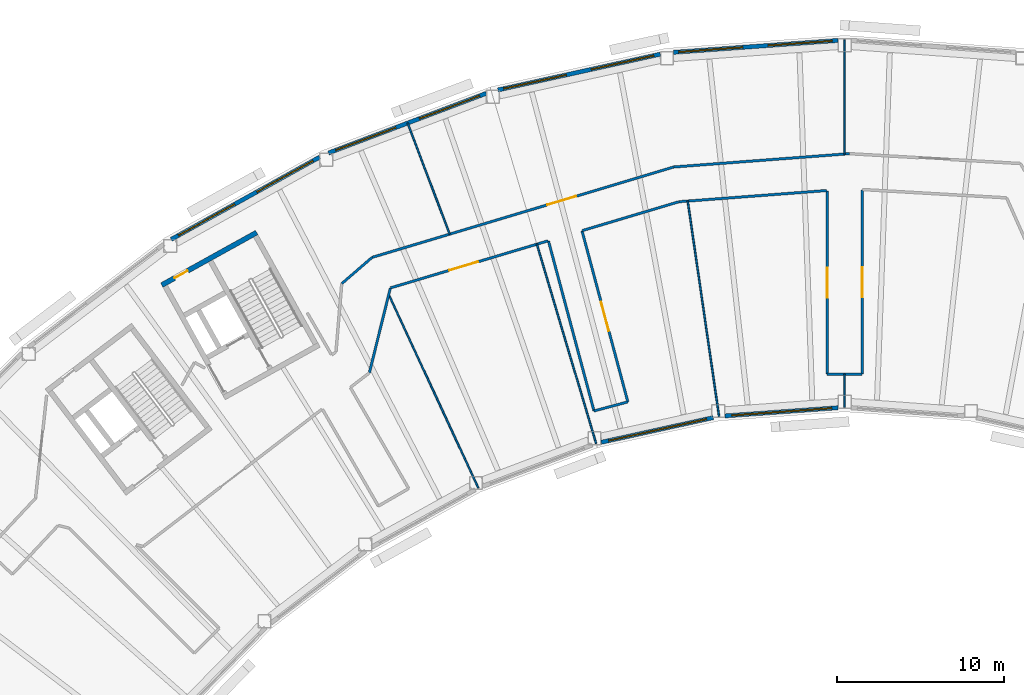
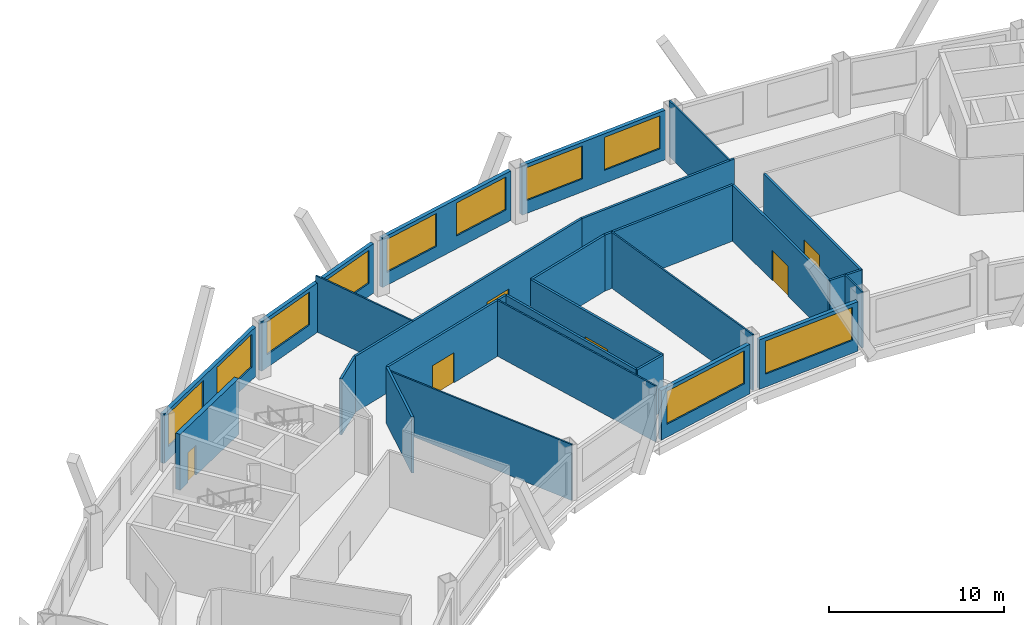
# One storey, part 6 of 13: 26 walls, 10 windows, 6 doors, 16 openings.
"""IFC4 building model written with IfcOpenShell, lengths in metres."""

from ifc_helpers import new_model, si_unit, direction, frame, frame_2d, origin, place, context, subcontext, project, spatial, rectangle, extrude, material, layer, layer_set, type_object, element, fill, save


model = new_model("IFC4")

# Units and contexts
model_context = context("Model", 3, precision=1e-05, world=origin(), true_north=direction((0.0, 1.0)))
body_context = subcontext(model_context, "Body", "Model", "MODEL_VIEW")
ifc_project = project(units=[si_unit("LENGTHUNIT", "METRE"), si_unit("AREAUNIT", "SQUARE_METRE"), si_unit("VOLUMEUNIT", "CUBIC_METRE"), si_unit("PLANEANGLEUNIT", "RADIAN"), si_unit("MASSUNIT", "GRAM", prefix="KILO")], contexts=[model_context])

# Site, building, storey
site_placement = place(None, origin())
site = spatial("IfcSite", under=ifc_project, at=site_placement, CompositionType="ELEMENT")
building_placement = place(site_placement, origin())
building = spatial("IfcBuilding", under=site, at=building_placement, Name="Tuul Gate Civic Tower", CompositionType="ELEMENT")
storey_placement = place(building_placement, frame((0.0, 0.0, 302.60009765625)))
storey = spatial("IfcBuildingStorey", under=building, at=storey_placement, Name="Level 68", CompositionType="ELEMENT", Elevation=302.60009765625)

# Wall, opening, door
ifc_material_1 = material(Name="Concrete C50/60", Category="concrete")
ifc_layer_1 = layer(ifc_material_1, 0.300048828125)
ifc_layer_set_1 = layer_set([ifc_layer_1], Name="Concrete C50/60")
wall_type_1 = type_object("IfcWallType", Name="Core wall C50/60", PredefinedType="SHEAR", material=ifc_layer_set_1)
wall_1_placement = place(storey_placement, frame((-28.4443359375, -1.98095703125, 0.0), z_axis=(0.0, 0.0, 1.0), x_axis=(-0.874629909008, -0.484791215132, 0.0)))
wall_1 = element("IfcWall", 1, at=wall_1_placement, inside=storey, type_object=wall_type_1, Name="Core wall", PredefinedType="SHEAR", context=body_context, shape_type="SweptSolid", body=[
    extrude(rectangle(XDim=6.5, YDim=0.300048828125, at=frame_2d((3.25, 0.0))), origin(), (0.0, 0.0, 1.0), 3.89990234375),
])
opening_1_placement = place(wall_1_placement, frame((4.72509765625, 0.0, 0.0)))
opening_1 = element("IfcOpeningElement", 2, at=opening_1_placement, cuts=wall_1, Name="Opening Y-D17", PredefinedType="OPENING", context=body_context, shape_type="SweptSolid", body=[
    extrude(rectangle(XDim=0.89990234375, YDim=2.10009765625, at=frame_2d((0.449951171875, 1.050048828125))), frame((0.0, 0.16015625, 0.0), z_axis=(0.0, -1.0, 0.0), x_axis=(1.0, 0.0, 0.0)), (0.0, 0.0, 1.0), 0.320068359375),
])
ifc_material_2 = material(Name="Timber door leaf", Category="wood")
door_type_1 = type_object("IfcDoorType", Name="Door D09", OperationType="NOTDEFINED", PredefinedType="DOOR", material=ifc_material_2)
door_1_placement = place(opening_1_placement, origin())
door_1 = element("IfcDoor", 3, at=door_1_placement, inside=storey, type_object=door_type_1, Name="Door Y-D17", OperationType="SINGLE_SWING_LEFT", OverallHeight=2.10009765625, OverallWidth=0.89990234375, PredefinedType="DOOR", context=body_context, shape_type="SweptSolid", body=[
    extrude(rectangle(XDim=0.89990234375, YDim=2.10009765625, at=frame_2d((0.449951171875, 1.050048828125))), frame((0.0, 0.02490234375, 0.0), z_axis=(0.0, -1.0, 0.0), x_axis=(1.0, 0.0, 0.0)), (0.0, 0.0, 1.0), 0.050048828125),
])
fill(opening_1, door_1)

# Wall
ifc_material_3 = material(Name="Gypsum board partition")
ifc_layer_2 = layer(ifc_material_3, 0.14990234375)
ifc_layer_set_2 = layer_set([ifc_layer_2], Name="Gypsum board partition")
wall_type_2 = type_object("IfcWallType", Name="Corridor wall P150", PredefinedType="PARTITIONING", material=ifc_layer_set_2)
wall_2_placement = place(storey_placement, frame((-3.451171875, 1.94580078125, 0.0), z_axis=(0.0, 0.0, 1.0), x_axis=(0.997139491246, 0.075583298406, 0.0)))
element("IfcWall", 4, at=wall_2_placement, inside=storey, type_object=wall_type_2, Name="p021", PredefinedType="PARTITIONING", context=body_context, shape_type="SweptSolid", body=[
    extrude(rectangle(XDim=10.549560546875, YDim=0.14990234375, at=frame_2d((5.27490234375, 0.0))), origin(), (0.0, 0.0, 1.0), 3.89990234375),
])

# Wall, opening, door
wall_3_placement = place(storey_placement, frame((-21.523681640625, -3.4697265625, 0.0), z_axis=(0.0, 0.0, 1.0), x_axis=(0.957914218536, 0.287054611402, 0.0)))
wall_3 = element("IfcWall", 5, at=wall_3_placement, inside=storey, type_object=wall_type_2, Name="p034", PredefinedType="PARTITIONING", context=body_context, shape_type="SweptSolid", body=[
    extrude(rectangle(XDim=18.864990234375, YDim=0.14990234375, at=frame_2d((9.4326171875, 0.0))), origin(), (0.0, 0.0, 1.0), 3.89990234375),
])
opening_2_placement = place(wall_3_placement, frame((10.95654296875, 0.0, 0.0)))
opening_2 = element("IfcOpeningElement", 6, at=opening_2_placement, cuts=wall_3, Name="Opening Y-D05", PredefinedType="OPENING", context=body_context, shape_type="SweptSolid", body=[
    extrude(rectangle(XDim=1.800048828125, YDim=2.10009765625, at=frame_2d((0.89990234375, 1.050048828125))), frame((0.0, 0.0849609375, 0.0), z_axis=(0.0, -1.0, 0.0), x_axis=(1.0, 0.0, 0.0)), (0.0, 0.0, 1.0), 0.169921875),
])
ifc_material_4 = material(Name="Timber door leaf, double", Category="wood")
door_type_2 = type_object("IfcDoorType", Name="Door D18", OperationType="DOUBLE_DOOR_SINGLE_SWING", PredefinedType="DOOR", material=ifc_material_4)
door_2_placement = place(opening_2_placement, origin())
door_2 = element("IfcDoor", 7, at=door_2_placement, inside=storey, type_object=door_type_2, Name="Door Y-D05", OperationType="DOUBLE_DOOR_SINGLE_SWING", OverallHeight=2.10009765625, OverallWidth=1.800048828125, PredefinedType="DOOR", context=body_context, shape_type="SweptSolid", body=[
    extrude(rectangle(XDim=1.800048828125, YDim=2.10009765625, at=frame_2d((0.89990234375, 1.050048828125))), frame((0.0, 0.02490234375, 0.0), z_axis=(0.0, -1.0, 0.0), x_axis=(1.0, 0.0, 0.0)), (0.0, 0.0, 1.0), 0.050048828125),
])
fill(opening_2, door_2)

# Wall
wall_4_placement = place(storey_placement, frame((-23.345947265625, -5.044189453125, 0.0), z_axis=(0.0, 0.0, 1.0), x_axis=(0.756572042285, 0.653910349232, 0.0)))
element("IfcWall", 8, at=wall_4_placement, inside=storey, type_object=wall_type_2, Name="p037", PredefinedType="PARTITIONING", context=body_context, shape_type="SweptSolid", body=[
    extrude(rectangle(XDim=2.40673828125, YDim=0.14990234375, at=frame_2d((1.203369140625, 0.0))), origin(), (0.0, 0.0, 1.0), 3.89990234375),
])

# Wall, opening, door
wall_5_placement = place(storey_placement, frame((7.838134765625, -10.469970703125, 0.0), z_axis=(0.0, 0.0, 1.0), x_axis=(0.0, 1.0, 0.0)))
wall_5 = element("IfcWall", 9, at=wall_5_placement, inside=storey, type_object=wall_type_2, Name="p061", PredefinedType="PARTITIONING", context=body_context, shape_type="SweptSolid", body=[
    extrude(rectangle(XDim=11.043701171875, YDim=0.14990234375, at=frame_2d((5.52197265625, 0.0))), origin(), (0.0, 0.0, 1.0), 3.89990234375),
])
opening_3_placement = place(wall_5_placement, frame((4.621826171875, 0.0, 0.0)))
opening_3 = element("IfcOpeningElement", 10, at=opening_3_placement, cuts=wall_5, Name="Opening Y-D09", PredefinedType="OPENING", context=body_context, shape_type="SweptSolid", body=[
    extrude(rectangle(XDim=1.800048828125, YDim=2.10009765625, at=frame_2d((0.89990234375, 1.050048828125))), frame((0.0, 0.0849609375, 0.0), z_axis=(0.0, -1.0, 0.0), x_axis=(1.0, 0.0, 0.0)), (0.0, 0.0, 1.0), 0.169921875),
])
door_3_placement = place(opening_3_placement, frame((1.800048828125, 0.0, 0.0), z_axis=(0.0, 0.0, 1.0), x_axis=(-1.0, 0.0, 0.0)))
door_3 = element("IfcDoor", 11, at=door_3_placement, inside=storey, type_object=door_type_2, Name="Door Y-D09", OperationType="DOUBLE_DOOR_SINGLE_SWING", OverallHeight=2.10009765625, OverallWidth=1.800048828125, PredefinedType="DOOR", context=body_context, shape_type="SweptSolid", body=[
    extrude(rectangle(XDim=1.800048828125, YDim=2.10009765625, at=frame_2d((0.900146484375, 1.050048828125))), frame((0.0, 0.02490234375, 0.0), z_axis=(0.0, -1.0, 0.0), x_axis=(1.0, 0.0, 0.0)), (0.0, 0.0, 1.0), 0.050048828125),
])
fill(opening_3, door_3)

# Walls
wall_6_placement = place(storey_placement, frame((5.739013671875, -10.469970703125, 0.0), z_axis=(0.0, 0.0, 1.0), x_axis=(1.0, 0.0, 0.0)))
element("IfcWall", 12, at=wall_6_placement, inside=storey, type_object=wall_type_2, Name="p066", PredefinedType="PARTITIONING", context=body_context, shape_type="SweptSolid", body=[
    extrude(rectangle(XDim=2.09912109375, YDim=0.14990234375, at=frame_2d((1.049560546875, 0.0))), origin(), (0.0, 0.0, 1.0), 3.89990234375),
])
wall_7_placement = place(storey_placement, frame((-3.13916015625, -0.136474609375, 0.0), z_axis=(0.0, 0.0, 1.0), x_axis=(0.997140365819, 0.075571759639, 0.0)))
element("IfcWall", 13, at=wall_7_placement, inside=storey, type_object=wall_type_2, Name="p068", PredefinedType="PARTITIONING", context=body_context, shape_type="SweptSolid", body=[
    extrude(rectangle(XDim=8.880859375, YDim=0.14990234375, at=frame_2d((4.4404296875, 0.0))), origin(), (0.0, 0.0, 1.0), 3.89990234375),
])

# Wall, opening, door
wall_8_placement = place(storey_placement, frame((5.73828125, -10.46923828125, 0.0), z_axis=(0.0, 0.0, 1.0), x_axis=(0.0, 1.0, 0.0)))
wall_8 = element("IfcWall", 14, at=wall_8_placement, inside=storey, type_object=wall_type_2, Name="p069", PredefinedType="PARTITIONING", context=body_context, shape_type="SweptSolid", body=[
    extrude(rectangle(XDim=10.983642578125, YDim=0.14990234375, at=frame_2d((5.49169921875, 0.0))), origin(), (0.0, 0.0, 1.0), 3.89990234375),
])
opening_4_placement = place(wall_8_placement, frame((4.591796875, 0.0, 0.0)))
opening_4 = element("IfcOpeningElement", 15, at=opening_4_placement, cuts=wall_8, Name="Opening Y-D10", PredefinedType="OPENING", context=body_context, shape_type="SweptSolid", body=[
    extrude(rectangle(XDim=1.800048828125, YDim=2.10009765625, at=frame_2d((0.89990234375, 1.050048828125))), frame((0.0, 0.0849609375, 0.0), z_axis=(0.0, -1.0, 0.0), x_axis=(1.0, 0.0, 0.0)), (0.0, 0.0, 1.0), 0.169921875),
])
door_4_placement = place(opening_4_placement, origin())
door_4 = element("IfcDoor", 16, at=door_4_placement, inside=storey, type_object=door_type_2, Name="Door Y-D10", OperationType="DOUBLE_DOOR_SINGLE_SWING", OverallHeight=2.10009765625, OverallWidth=1.800048828125, PredefinedType="DOOR", context=body_context, shape_type="SweptSolid", body=[
    extrude(rectangle(XDim=1.800048828125, YDim=2.10009765625, at=frame_2d((0.89990234375, 1.050048828125))), frame((0.0, 0.02490234375, 0.0), z_axis=(0.0, -1.0, 0.0), x_axis=(1.0, 0.0, 0.0)), (0.0, 0.0, 1.0), 0.050048828125),
])
fill(opening_4, door_4)

wall_9_placement = place(storey_placement, frame((-20.421875, -5.299072265625, 0.0), z_axis=(0.0, 0.0, 1.0), x_axis=(0.958157853162, 0.286240333329, 0.0)))
wall_9 = element("IfcWall", 17, at=wall_9_placement, inside=storey, type_object=wall_type_2, Name="p071", PredefinedType="PARTITIONING", context=body_context, shape_type="SweptSolid", body=[
    extrude(rectangle(XDim=9.850341796875, YDim=0.14990234375, at=frame_2d((4.92529296875, 0.0))), origin(), (0.0, 0.0, 1.0), 3.89990234375),
])
opening_5_placement = place(wall_9_placement, frame((3.673828125, 0.0, 0.0)))
opening_5 = element("IfcOpeningElement", 18, at=opening_5_placement, cuts=wall_9, Name="Opening Y-D12", PredefinedType="OPENING", context=body_context, shape_type="SweptSolid", body=[
    extrude(rectangle(XDim=1.800048828125, YDim=2.10009765625, at=frame_2d((0.89990234375, 1.050048828125))), frame((0.0, 0.0849609375, 0.0), z_axis=(0.0, -1.0, 0.0), x_axis=(1.0, 0.0, 0.0)), (0.0, 0.0, 1.0), 0.169921875),
])
door_5_placement = place(opening_5_placement, frame((1.800048828125, 0.0, 0.0), z_axis=(0.0, 0.0, 1.0), x_axis=(-1.0, 0.0, 0.0)))
door_5 = element("IfcDoor", 19, at=door_5_placement, inside=storey, type_object=door_type_2, Name="Door Y-D12", OperationType="DOUBLE_DOOR_SINGLE_SWING", OverallHeight=2.10009765625, OverallWidth=1.800048828125, PredefinedType="DOOR", context=body_context, shape_type="SweptSolid", body=[
    extrude(rectangle(XDim=1.800048828125, YDim=2.10009765625, at=frame_2d((0.900146484375, 1.050048828125))), frame((0.0, 0.02490234375, 0.0), z_axis=(0.0, -1.0, 0.0), x_axis=(1.0, 0.0, 0.0)), (0.0, 0.0, 1.0), 0.050048828125),
])
fill(opening_5, door_5)

# Walls
wall_10_placement = place(storey_placement, frame((-8.931396484375, -1.8662109375, 0.0), z_axis=(0.0, 0.0, 1.0), x_axis=(0.958161614647, 0.286227741871, 0.0)))
element("IfcWall", 20, at=wall_10_placement, inside=storey, type_object=wall_type_2, Name="p072", PredefinedType="PARTITIONING", context=body_context, shape_type="SweptSolid", body=[
    extrude(rectangle(XDim=6.039794921875, YDim=0.14990234375, at=frame_2d((3.02001953125, 0.0))), origin(), (0.0, 0.0, 1.0), 3.89990234375),
])
wall_11_placement = place(storey_placement, frame((-10.9580078125, -2.493896484375, 0.0), z_axis=(0.0, 0.0, 1.0), x_axis=(0.258807503709, -0.965928918722, 0.0)))
element("IfcWall", 21, at=wall_11_placement, inside=storey, type_object=wall_type_2, Name="p073", PredefinedType="PARTITIONING", context=body_context, shape_type="SweptSolid", body=[
    extrude(rectangle(XDim=10.536865234375, YDim=0.14990234375, at=frame_2d((5.2685546875, 0.0))), origin(), (0.0, 0.0, 1.0), 3.89990234375),
])
wall_12_placement = place(storey_placement, frame((-8.22998046875, -12.67236328125, 0.0), z_axis=(0.0, 0.0, 1.0), x_axis=(0.96594857071, 0.258734146846, 0.0)))
element("IfcWall", 22, at=wall_12_placement, inside=storey, type_object=wall_type_2, Name="p074", PredefinedType="PARTITIONING", context=body_context, shape_type="SweptSolid", body=[
    extrude(rectangle(XDim=2.0986328125, YDim=0.14990234375, at=frame_2d((1.04931640625, 0.0))), origin(), (0.0, 0.0, 1.0), 3.89990234375),
])

# Wall, opening, door
wall_13_placement = place(storey_placement, frame((-8.9453125, -1.891357421875, 0.0), z_axis=(0.0, 0.0, 1.0), x_axis=(0.258810929597, -0.965928000796, 0.0)))
wall_13 = element("IfcWall", 23, at=wall_13_placement, inside=storey, type_object=wall_type_2, Name="p075", PredefinedType="PARTITIONING", context=body_context, shape_type="SweptSolid", body=[
    extrude(rectangle(XDim=10.59814453125, YDim=0.14990234375, at=frame_2d((5.299072265625, 0.0))), origin(), (0.0, 0.0, 1.0), 3.89990234375),
])
opening_6_placement = place(wall_13_placement, frame((4.399169921875, 0.0, 0.0)))
opening_6 = element("IfcOpeningElement", 24, at=opening_6_placement, cuts=wall_13, Name="Opening Y-D11", PredefinedType="OPENING", context=body_context, shape_type="SweptSolid", body=[
    extrude(rectangle(XDim=1.800048828125, YDim=2.10009765625, at=frame_2d((0.89990234375, 1.050048828125))), frame((0.0, 0.0849609375, 0.0), z_axis=(0.0, -1.0, 0.0), x_axis=(1.0, 0.0, 0.0)), (0.0, 0.0, 1.0), 0.169921875),
])
door_6_placement = place(opening_6_placement, origin())
door_6 = element("IfcDoor", 25, at=door_6_placement, inside=storey, type_object=door_type_2, Name="Door Y-D11", OperationType="DOUBLE_DOOR_SINGLE_SWING", OverallHeight=2.10009765625, OverallWidth=1.800048828125, PredefinedType="DOOR", context=body_context, shape_type="SweptSolid", body=[
    extrude(rectangle(XDim=1.800048828125, YDim=2.10009765625, at=frame_2d((0.89990234375, 1.050048828125))), frame((0.0, 0.02490234375, 0.0), z_axis=(0.0, -1.0, 0.0), x_axis=(1.0, 0.0, 0.0)), (0.0, 0.0, 1.0), 0.050048828125),
])
fill(opening_6, door_6)

# Wall
wall_14_placement = place(storey_placement, frame((-21.690185546875, -10.388916015625, 0.0), z_axis=(0.0, 0.0, 1.0), x_axis=(0.239908432777, 0.970795521149, 0.0)))
element("IfcWall", 26, at=wall_14_placement, inside=storey, type_object=wall_type_2, Name="p077", PredefinedType="PARTITIONING", context=body_context, shape_type="SweptSolid", body=[
    extrude(rectangle(XDim=5.2275390625, YDim=0.14990234375, at=frame_2d((2.61376953125, 0.0))), origin(), (0.0, 0.0, 1.0), 3.89990234375),
])

# Wall, openings, windows
ifc_material_5 = material(Name="Precast concrete C40/50", Category="concrete")
ifc_layer_3 = layer(ifc_material_5, 0.25)
ifc_layer_set_3 = layer_set([ifc_layer_3], Name="Precast concrete C40/50")
wall_type_3 = type_object("IfcWallType", Name="External wall", PredefinedType="STANDARD", material=ifc_layer_set_3)
wall_15_placement = place(storey_placement, frame((6.387939453125, 9.52880859375, 0.0), z_axis=(0.0, 0.0, 1.0), x_axis=(-0.997387042659, -0.072243249762, 0.0)))
wall_15 = element("IfcWall", 27, at=wall_15_placement, inside=storey, type_object=wall_type_3, Name="External wall", PredefinedType="STANDARD", context=body_context, shape_type="SweptSolid", body=[
    extrude(rectangle(XDim=9.874755859375, YDim=0.25, at=frame_2d((4.9375, 0.0))), origin(), (0.0, 0.0, 1.0), 3.449951171875),
])
opening_7_placement = place(wall_15_placement, frame((0.350341796875, 0.0, 0.89990234375)))
opening_7 = element("IfcOpeningElement", 28, at=opening_7_placement, cuts=wall_15, Name="Opening W22", PredefinedType="OPENING", context=body_context, shape_type="SweptSolid", body=[
    extrude(rectangle(XDim=3.85009765625, YDim=2.300048828125, at=frame_2d((1.925048828125, 1.14990234375))), frame((0.0, 0.135009765625, 0.0), z_axis=(0.0, -1.0, 0.0), x_axis=(1.0, 0.0, 0.0)), (0.0, 0.0, 1.0), 0.27001953125),
])
opening_8_placement = place(wall_15_placement, frame((5.721435546875, 0.0, 0.89990234375)))
opening_8 = element("IfcOpeningElement", 29, at=opening_8_placement, cuts=wall_15, Name="Opening W22", PredefinedType="OPENING", context=body_context, shape_type="SweptSolid", body=[
    extrude(rectangle(XDim=3.85009765625, YDim=2.300048828125, at=frame_2d((1.925048828125, 1.14990234375))), frame((0.0, 0.135009765625, 0.0), z_axis=(0.0, -1.0, 0.0), x_axis=(1.0, 0.0, 0.0)), (0.0, 0.0, 1.0), 0.27001953125),
])
ifc_material_6 = material(Name="Glass", Category="glass")
window_type_1 = type_object("IfcWindowType", Name="Window W22 3850 x 2300", PartitioningType="SINGLE_PANEL", PredefinedType="WINDOW", material=ifc_material_6)
window_1_placement = place(opening_7_placement, origin())
window_1 = element("IfcWindow", 30, at=window_1_placement, inside=storey, type_object=window_type_1, Name="Window", OverallHeight=2.300048828125, OverallWidth=3.85009765625, PartitioningType="SINGLE_PANEL", PredefinedType="WINDOW", context=body_context, shape_type="SweptSolid", body=[
    extrude(rectangle(XDim=3.85009765625, YDim=2.300048828125, at=frame_2d((1.925048828125, 1.14990234375))), frame((0.0, 0.030029296875, 0.0), z_axis=(0.0, -1.0, 0.0), x_axis=(1.0, 0.0, 0.0)), (0.0, 0.0, 1.0), 0.06005859375),
])
fill(opening_7, window_1)
window_2_placement = place(opening_8_placement, origin())
window_2 = element("IfcWindow", 31, at=window_2_placement, inside=storey, type_object=window_type_1, Name="Window", OverallHeight=2.300048828125, OverallWidth=3.85009765625, PartitioningType="SINGLE_PANEL", PredefinedType="WINDOW", context=body_context, shape_type="SweptSolid", body=[
    extrude(rectangle(XDim=3.85009765625, YDim=2.300048828125, at=frame_2d((1.925048828125, 1.14990234375))), frame((0.0, 0.030029296875, 0.0), z_axis=(0.0, -1.0, 0.0), x_axis=(1.0, 0.0, 0.0)), (0.0, 0.0, 1.0), 0.06005859375),
])
fill(opening_8, window_2)

wall_16_placement = place(storey_placement, frame((-4.260986328125, 8.705078125, 0.0), z_axis=(0.0, 0.0, 1.0), x_axis=(-0.976568573814, -0.215206460496, 0.0)))
wall_16 = element("IfcWall", 32, at=wall_16_placement, inside=storey, type_object=wall_type_3, Name="External wall", PredefinedType="STANDARD", context=body_context, shape_type="SweptSolid", body=[
    extrude(rectangle(XDim=9.958251953125, YDim=0.25, at=frame_2d((4.97900390625, 0.0))), origin(), (0.0, 0.0, 1.0), 3.449951171875),
])
opening_9_placement = place(wall_16_placement, frame((0.39013671875, 0.0, 0.89990234375)))
opening_9 = element("IfcOpeningElement", 33, at=opening_9_placement, cuts=wall_16, Name="Opening W22", PredefinedType="OPENING", context=body_context, shape_type="SweptSolid", body=[
    extrude(rectangle(XDim=3.85009765625, YDim=2.300048828125, at=frame_2d((1.925048828125, 1.14990234375))), frame((0.0, 0.135009765625, 0.0), z_axis=(0.0, -1.0, 0.0), x_axis=(1.0, 0.0, 0.0)), (0.0, 0.0, 1.0), 0.27001953125),
])
opening_10_placement = place(wall_16_placement, frame((5.761474609375, 0.0, 0.89990234375)))
opening_10 = element("IfcOpeningElement", 34, at=opening_10_placement, cuts=wall_16, Name="Opening W22", PredefinedType="OPENING", context=body_context, shape_type="SweptSolid", body=[
    extrude(rectangle(XDim=3.85009765625, YDim=2.300048828125, at=frame_2d((1.925048828125, 1.14990234375))), frame((0.0, 0.135009765625, 0.0), z_axis=(0.0, -1.0, 0.0), x_axis=(1.0, 0.0, 0.0)), (0.0, 0.0, 1.0), 0.27001953125),
])
window_3_placement = place(opening_9_placement, origin())
window_3 = element("IfcWindow", 35, at=window_3_placement, inside=storey, type_object=window_type_1, Name="Window", OverallHeight=2.300048828125, OverallWidth=3.85009765625, PartitioningType="SINGLE_PANEL", PredefinedType="WINDOW", context=body_context, shape_type="SweptSolid", body=[
    extrude(rectangle(XDim=3.85009765625, YDim=2.300048828125, at=frame_2d((1.925048828125, 1.14990234375))), frame((0.0, 0.030029296875, 0.0), z_axis=(0.0, -1.0, 0.0), x_axis=(1.0, 0.0, 0.0)), (0.0, 0.0, 1.0), 0.06005859375),
])
fill(opening_9, window_3)
window_4_placement = place(opening_10_placement, origin())
window_4 = element("IfcWindow", 36, at=window_4_placement, inside=storey, type_object=window_type_1, Name="Window", OverallHeight=2.300048828125, OverallWidth=3.85009765625, PartitioningType="SINGLE_PANEL", PredefinedType="WINDOW", context=body_context, shape_type="SweptSolid", body=[
    extrude(rectangle(XDim=3.85009765625, YDim=2.300048828125, at=frame_2d((1.925048828125, 1.14990234375))), frame((0.0, 0.030029296875, 0.0), z_axis=(0.0, -1.0, 0.0), x_axis=(1.0, 0.0, 0.0)), (0.0, 0.0, 1.0), 0.06005859375),
])
fill(opening_10, window_4)

wall_17_placement = place(storey_placement, frame((-14.68798828125, 6.35888671875, 0.0), z_axis=(0.0, 0.0, 1.0), x_axis=(-0.9353443931, -0.353738415071, 0.0)))
wall_17 = element("IfcWall", 37, at=wall_17_placement, inside=storey, type_object=wall_type_3, Name="External wall", PredefinedType="STANDARD", context=body_context, shape_type="SweptSolid", body=[
    extrude(rectangle(XDim=10.103515625, YDim=0.25, at=frame_2d((5.0517578125, 0.0))), origin(), (0.0, 0.0, 1.0), 3.449951171875),
])
opening_11_placement = place(wall_17_placement, frame((0.423583984375, 0.0, 0.89990234375)))
opening_11 = element("IfcOpeningElement", 38, at=opening_11_placement, cuts=wall_17, Name="Opening W22", PredefinedType="OPENING", context=body_context, shape_type="SweptSolid", body=[
    extrude(rectangle(XDim=3.85009765625, YDim=2.300048828125, at=frame_2d((1.925048828125, 1.14990234375))), frame((0.0, 0.135009765625, 0.0), z_axis=(0.0, -1.0, 0.0), x_axis=(1.0, 0.0, 0.0)), (0.0, 0.0, 1.0), 0.27001953125),
])
opening_12_placement = place(wall_17_placement, frame((5.794921875, 0.0, 0.89990234375)))
opening_12 = element("IfcOpeningElement", 39, at=opening_12_placement, cuts=wall_17, Name="Opening W22", PredefinedType="OPENING", context=body_context, shape_type="SweptSolid", body=[
    extrude(rectangle(XDim=3.85009765625, YDim=2.300048828125, at=frame_2d((1.925048828125, 1.14990234375))), frame((0.0, 0.135009765625, 0.0), z_axis=(0.0, -1.0, 0.0), x_axis=(1.0, 0.0, 0.0)), (0.0, 0.0, 1.0), 0.27001953125),
])
window_5_placement = place(opening_11_placement, origin())
window_5 = element("IfcWindow", 40, at=window_5_placement, inside=storey, type_object=window_type_1, Name="Window", OverallHeight=2.300048828125, OverallWidth=3.85009765625, PartitioningType="SINGLE_PANEL", PredefinedType="WINDOW", context=body_context, shape_type="SweptSolid", body=[
    extrude(rectangle(XDim=3.85009765625, YDim=2.300048828125, at=frame_2d((1.925048828125, 1.14990234375))), frame((0.0, 0.030029296875, 0.0), z_axis=(0.0, -1.0, 0.0), x_axis=(1.0, 0.0, 0.0)), (0.0, 0.0, 1.0), 0.06005859375),
])
fill(opening_11, window_5)
window_6_placement = place(opening_12_placement, origin())
window_6 = element("IfcWindow", 41, at=window_6_placement, inside=storey, type_object=window_type_1, Name="Window", OverallHeight=2.300048828125, OverallWidth=3.85009765625, PartitioningType="SINGLE_PANEL", PredefinedType="WINDOW", context=body_context, shape_type="SweptSolid", body=[
    extrude(rectangle(XDim=3.85009765625, YDim=2.300048828125, at=frame_2d((1.925048828125, 1.14990234375))), frame((0.0, 0.030029296875, 0.0), z_axis=(0.0, -1.0, 0.0), x_axis=(1.0, 0.0, 0.0)), (0.0, 0.0, 1.0), 0.06005859375),
])
fill(opening_12, window_6)

wall_18_placement = place(storey_placement, frame((-24.676025390625, 2.53515625, 0.0), z_axis=(0.0, 0.0, 1.0), x_axis=(-0.874624927255, -0.484800202789, 0.0)))
wall_18 = element("IfcWall", 42, at=wall_18_placement, inside=storey, type_object=wall_type_3, Name="External wall", PredefinedType="STANDARD", context=body_context, shape_type="SweptSolid", body=[
    extrude(rectangle(XDim=10.161376953125, YDim=0.25, at=frame_2d((5.08056640625, 0.0))), origin(), (0.0, 0.0, 1.0), 3.449951171875),
])
opening_13_placement = place(wall_18_placement, frame((0.4501953125, 0.0, 0.89990234375)))
opening_13 = element("IfcOpeningElement", 43, at=opening_13_placement, cuts=wall_18, Name="Opening W22", PredefinedType="OPENING", context=body_context, shape_type="SweptSolid", body=[
    extrude(rectangle(XDim=3.85009765625, YDim=2.300048828125, at=frame_2d((1.925048828125, 1.14990234375))), frame((0.0, 0.135009765625, 0.0), z_axis=(0.0, -1.0, 0.0), x_axis=(1.0, 0.0, 0.0)), (0.0, 0.0, 1.0), 0.27001953125),
])
opening_14_placement = place(wall_18_placement, frame((5.821533203125, 0.0, 0.89990234375)))
opening_14 = element("IfcOpeningElement", 44, at=opening_14_placement, cuts=wall_18, Name="Opening W22", PredefinedType="OPENING", context=body_context, shape_type="SweptSolid", body=[
    extrude(rectangle(XDim=3.85009765625, YDim=2.300048828125, at=frame_2d((1.925048828125, 1.14990234375))), frame((0.0, 0.135009765625, 0.0), z_axis=(0.0, -1.0, 0.0), x_axis=(1.0, 0.0, 0.0)), (0.0, 0.0, 1.0), 0.27001953125),
])
window_7_placement = place(opening_13_placement, origin())
window_7 = element("IfcWindow", 45, at=window_7_placement, inside=storey, type_object=window_type_1, Name="Window", OverallHeight=2.300048828125, OverallWidth=3.85009765625, PartitioningType="SINGLE_PANEL", PredefinedType="WINDOW", context=body_context, shape_type="SweptSolid", body=[
    extrude(rectangle(XDim=3.85009765625, YDim=2.300048828125, at=frame_2d((1.925048828125, 1.14990234375))), frame((0.0, 0.030029296875, 0.0), z_axis=(0.0, -1.0, 0.0), x_axis=(1.0, 0.0, 0.0)), (0.0, 0.0, 1.0), 0.06005859375),
])
fill(opening_13, window_7)
window_8_placement = place(opening_14_placement, origin())
window_8 = element("IfcWindow", 46, at=window_8_placement, inside=storey, type_object=window_type_1, Name="Window", OverallHeight=2.300048828125, OverallWidth=3.85009765625, PartitioningType="SINGLE_PANEL", PredefinedType="WINDOW", context=body_context, shape_type="SweptSolid", body=[
    extrude(rectangle(XDim=3.85009765625, YDim=2.300048828125, at=frame_2d((1.925048828125, 1.14990234375))), frame((0.0, 0.030029296875, 0.0), z_axis=(0.0, -1.0, 0.0), x_axis=(1.0, 0.0, 0.0)), (0.0, 0.0, 1.0), 0.06005859375),
])
fill(opening_14, window_8)

# Wall, opening, window
wall_19_placement = place(storey_placement, frame((-7.798095703125, -14.55126953125, 0.0), z_axis=(0.0, 0.0, 1.0), x_axis=(0.976561146318, 0.215240162382, 0.0)))
wall_19 = element("IfcWall", 47, at=wall_19_placement, inside=storey, type_object=wall_type_3, Name="External wall", PredefinedType="STANDARD", context=body_context, shape_type="SweptSolid", body=[
    extrude(rectangle(XDim=6.867919921875, YDim=0.25, at=frame_2d((3.43408203125, 0.0))), origin(), (0.0, 0.0, 1.0), 3.449951171875),
])
opening_15_placement = place(wall_19_placement, frame((0.458251953125, 0.0, 0.89990234375)))
opening_15 = element("IfcOpeningElement", 48, at=opening_15_placement, cuts=wall_19, Name="Opening W26", PredefinedType="OPENING", context=body_context, shape_type="SweptSolid", body=[
    extrude(rectangle(XDim=6.0, YDim=2.300048828125, at=frame_2d((3.0, 1.14990234375))), frame((0.0, 0.135009765625, 0.0), z_axis=(0.0, -1.0, 0.0), x_axis=(1.0, 0.0, 0.0)), (0.0, 0.0, 1.0), 0.27001953125),
])
ifc_material_7 = material(Name="Glass", Category="glass")
window_type_2 = type_object("IfcWindowType", Name="Window W26 6000 x 2300", PartitioningType="SINGLE_PANEL", PredefinedType="WINDOW", material=ifc_material_7)
window_9_placement = place(opening_15_placement, origin())
window_9 = element("IfcWindow", 49, at=window_9_placement, inside=storey, type_object=window_type_2, Name="Window", OverallHeight=2.300048828125, OverallWidth=6.0, PartitioningType="SINGLE_PANEL", PredefinedType="WINDOW", context=body_context, shape_type="SweptSolid", body=[
    extrude(rectangle(XDim=6.0, YDim=2.300048828125, at=frame_2d((3.0, 1.14990234375))), frame((0.0, 0.030029296875, 0.0), z_axis=(0.0, -1.0, 0.0), x_axis=(1.0, 0.0, 0.0)), (0.0, 0.0, 1.0), 0.06005859375),
])
fill(opening_15, window_9)

wall_20_placement = place(storey_placement, frame((-0.384033203125, -12.969482421875, 0.0), z_axis=(0.0, 0.0, 1.0), x_axis=(0.997384795983, 0.072274260578, 0.0)))
wall_20 = element("IfcWall", 50, at=wall_20_placement, inside=storey, type_object=wall_type_3, Name="External wall", PredefinedType="STANDARD", context=body_context, shape_type="SweptSolid", body=[
    extrude(rectangle(XDim=6.789794921875, YDim=0.25, at=frame_2d((3.39501953125, 0.0))), origin(), (0.0, 0.0, 1.0), 3.449951171875),
])
opening_16_placement = place(wall_20_placement, frame((0.41845703125, 0.0, 0.89990234375)))
opening_16 = element("IfcOpeningElement", 51, at=opening_16_placement, cuts=wall_20, Name="Opening W26", PredefinedType="OPENING", context=body_context, shape_type="SweptSolid", body=[
    extrude(rectangle(XDim=6.0, YDim=2.300048828125, at=frame_2d((3.0, 1.14990234375))), frame((0.0, 0.135009765625, 0.0), z_axis=(0.0, -1.0, 0.0), x_axis=(1.0, 0.0, 0.0)), (0.0, 0.0, 1.0), 0.27001953125),
])
window_10_placement = place(opening_16_placement, origin())
window_10 = element("IfcWindow", 52, at=window_10_placement, inside=storey, type_object=window_type_2, Name="Window", OverallHeight=2.300048828125, OverallWidth=6.0, PartitioningType="SINGLE_PANEL", PredefinedType="WINDOW", context=body_context, shape_type="SweptSolid", body=[
    extrude(rectangle(XDim=6.0, YDim=2.300048828125, at=frame_2d((3.0, 1.14990234375))), frame((0.0, 0.030029296875, 0.0), z_axis=(0.0, -1.0, 0.0), x_axis=(1.0, 0.0, 0.0)), (0.0, 0.0, 1.0), 0.06005859375),
])
fill(opening_16, window_10)

# Walls
ifc_material_8 = material(Name="Gypsum board partition")
ifc_layer_4 = layer(ifc_material_8, 0.10009765625)
ifc_layer_set_4 = layer_set([ifc_layer_4], Name="Gypsum board partition")
wall_type_4 = type_object("IfcWallType", Name="Partition P100", PredefinedType="PARTITIONING", material=ifc_layer_set_4)
wall_21_placement = place(storey_placement, frame((6.7880859375, -12.45458984375, 0.0), z_axis=(0.0, 0.0, 1.0), x_axis=(0.0, 1.0, 0.0)))
element("IfcWall", 53, at=wall_21_placement, inside=storey, type_object=wall_type_4, Name="p019", PredefinedType="PARTITIONING", context=body_context, shape_type="SweptSolid", body=[
    extrude(rectangle(XDim=1.984619140625, YDim=0.10009765625, at=frame_2d((0.9921875, 0.0))), origin(), (0.0, 0.0, 1.0), 3.89990234375),
])
wall_22_placement = place(storey_placement, frame((6.7880859375, 2.721923828125, 0.0), z_axis=(0.0, 0.0, 1.0), x_axis=(0.0, 1.0, 0.0)))
element("IfcWall", 54, at=wall_22_placement, inside=storey, type_object=wall_type_4, Name="p020", PredefinedType="PARTITIONING", context=body_context, shape_type="SweptSolid", body=[
    extrude(rectangle(XDim=6.8408203125, YDim=0.10009765625, at=frame_2d((3.42041015625, 0.0))), origin(), (0.0, 0.0, 1.0), 3.89990234375),
])
wall_23_placement = place(storey_placement, frame((-19.398681640625, 4.582763671875, 0.0), z_axis=(0.0, 0.0, 1.0), x_axis=(0.35370323502, -0.935357697107, 0.0)))
element("IfcWall", 55, at=wall_23_placement, inside=storey, type_object=wall_type_4, Name="p033", PredefinedType="PARTITIONING", context=body_context, shape_type="SweptSolid", body=[
    extrude(rectangle(XDim=7.121337890625, YDim=0.10009765625, at=frame_2d((3.560546875, 0.0))), origin(), (0.0, 0.0, 1.0), 3.89990234375),
])
wall_24_placement = place(storey_placement, frame((-2.614990234375, -0.0966796875, 0.0), z_axis=(0.0, 0.0, 1.0), x_axis=(0.144094527883, -0.989563927715, 0.0)))
element("IfcWall", 56, at=wall_24_placement, inside=storey, type_object=wall_type_4, Name="p067", PredefinedType="PARTITIONING", context=body_context, shape_type="SweptSolid", body=[
    extrude(rectangle(XDim=13.039306640625, YDim=0.10009765625, at=frame_2d((6.51953125, 0.0))), origin(), (0.0, 0.0, 1.0), 3.89990234375),
])
wall_25_placement = place(storey_placement, frame((-11.656982421875, -2.6806640625, 0.0), z_axis=(0.0, 0.0, 1.0), x_axis=(0.285195526972, -0.958469358611, 0.0)))
element("IfcWall", 57, at=wall_25_placement, inside=storey, type_object=wall_type_4, Name="p070", PredefinedType="PARTITIONING", context=body_context, shape_type="SweptSolid", body=[
    extrude(rectangle(XDim=12.460693359375, YDim=0.10009765625, at=frame_2d((6.23046875, 0.0))), origin(), (0.0, 0.0, 1.0), 3.89990234375),
])
wall_26_placement = place(storey_placement, frame((-20.531005859375, -5.697509765625, 0.0), z_axis=(0.0, 0.0, 1.0), x_axis=(0.420373545451, -0.907351135055, 0.0)))
element("IfcWall", 58, at=wall_26_placement, inside=storey, type_object=wall_type_4, Name="p076", PredefinedType="PARTITIONING", context=body_context, shape_type="SweptSolid", body=[
    extrude(rectangle(XDim=12.778076171875, YDim=0.10009765625, at=frame_2d((6.38916015625, 0.0))), origin(), (0.0, 0.0, 1.0), 3.89990234375),
])

save(model, "model.ifc")
